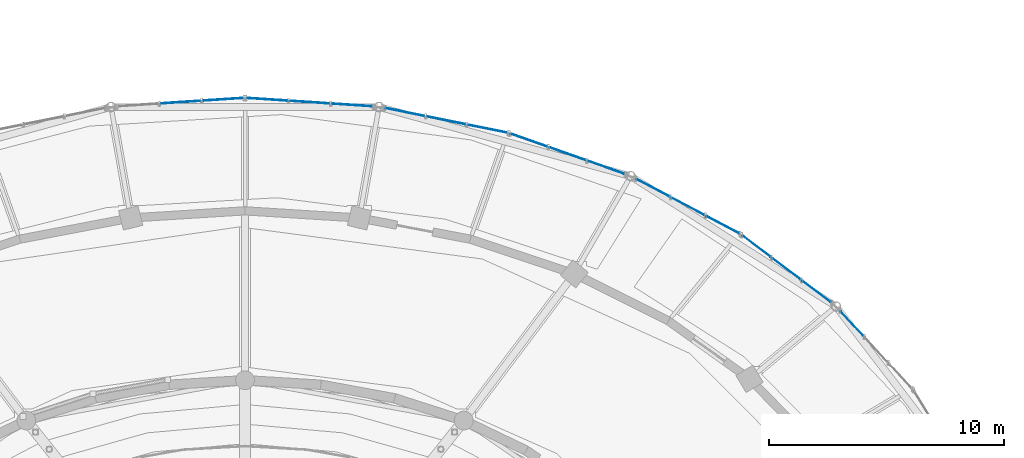
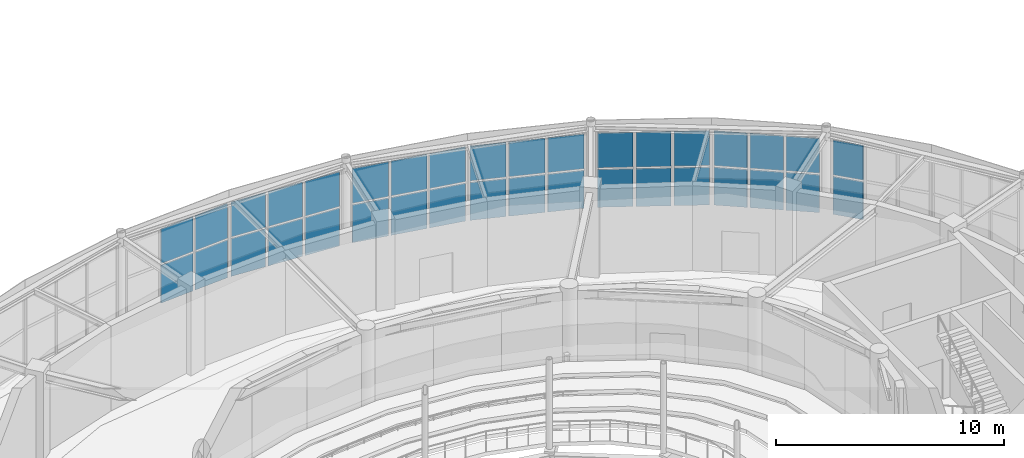
# One storey, part 73 of 100: 36 plates, 7 elements without a shape of their own.
"""IFC4 building model written with IfcOpenShell, lengths in metres."""

import ifcopenshell
import ifcopenshell.guid

model = None  # the IFC model being written
_history = None  # IfcOwnerHistory: only IFC2X3 demands one
_inside = {}  # id of a spatial element -> (the spatial element, [elements in it])
_under = {}  # id of a project, library or spatial element -> (it, [spatial elements below it])
_declared = {}  # id of a project -> (the project, [libraries it declares])
_typed = {}  # id of a type object -> (the type object, [elements of that type])
_made_of = {}  # id of a material, layer set ... -> (it, [elements and type objects made of it])


def new_model(schema):
    """Start an empty IFC model of exactly this schema.

    Asked for "IFC4X3", IfcOpenShell would pick the latest addendum, in which some entities
    have other attributes; the version numbers below select the first issue.
    IFC2X3 requires an IfcOwnerHistory on every rooted entity: one is made here for all.
    """
    global model, _history
    if schema == "IFC4X3":
        model = ifcopenshell.file(schema_version=(4, 3, 0, 0))
    else:
        model = ifcopenshell.file(schema=schema)
    _inside.clear()
    _under.clear()
    _declared.clear()
    _typed.clear()
    _made_of.clear()
    _history = None
    if model.schema == "IFC2X3":
        org = make("IfcOrganization", Name="unknown")
        user = make(
            "IfcPersonAndOrganization",
            ThePerson=make("IfcPerson", FamilyName="unknown"),
            TheOrganization=org,
        )
        app = make(
            "IfcApplication",
            ApplicationDeveloper=org,
            Version="unknown",
            ApplicationFullName="unknown",
            ApplicationIdentifier="unknown",
        )
        _history = make(
            "IfcOwnerHistory",
            OwningUser=user,
            OwningApplication=app,
            ChangeAction="ADDED",
            CreationDate=0,
        )
    return model


def make(cls, **values):
    """One entity of the class cls with the attributes given. An attribute that is None is left unset."""
    return model.create_entity(
        cls, **{name: value for name, value in values.items() if value is not None}
    )


def rooted(cls, **values):
    """An entity with a GlobalId (a new one), such as an element, a storey or a relation."""
    return make(cls, GlobalId=ifcopenshell.guid.new(), OwnerHistory=_history, **values)


def si_unit(unit_type, name, prefix=None):
    """IfcSIUnit, for example si_unit("LENGTHUNIT", "METRE", prefix="MILLI")."""
    return make("IfcSIUnit", UnitType=unit_type, Prefix=prefix, Name=name)


def assignment(units):
    """IfcUnitAssignment: the units of a project."""
    return None if units is None else make("IfcUnitAssignment", Units=units)


def point(xyz):
    """IfcCartesianPoint."""
    return None if xyz is None else make("IfcCartesianPoint", Coordinates=xyz)


def direction(xyz):
    """IfcDirection."""
    return None if xyz is None else make("IfcDirection", DirectionRatios=xyz)


def frame(location, z_axis=None, x_axis=None):
    """IfcAxis2Placement3D, a coordinate frame: its origin and axes. An axis left out is left unset."""
    return make(
        "IfcAxis2Placement3D",
        Location=point(location),
        Axis=direction(z_axis),
        RefDirection=direction(x_axis),
    )


def frame_2d(location, x_axis=None):
    """IfcAxis2Placement2D, a coordinate frame in the plane: its origin and x axis."""
    return make(
        "IfcAxis2Placement2D", Location=point(location), RefDirection=direction(x_axis)
    )


def origin():
    """The frame at (0, 0, 0) with its axes left unset."""
    return frame((0.0, 0.0, 0.0))


def origin_2d():
    """The frame at (0, 0) in the plane with its x axis left unset."""
    return frame_2d((0.0, 0.0))


def place(relative_to, where):
    """IfcLocalPlacement: puts the frame where relative to a parent placement (None: the world)."""
    return make(
        "IfcLocalPlacement", PlacementRelTo=relative_to, RelativePlacement=where
    )


def context(
    kind, dimensions, precision=None, world=None, true_north=None, identifier=None
):
    """IfcGeometricRepresentationContext, for example the 3D "Model" context."""
    return make(
        "IfcGeometricRepresentationContext",
        ContextIdentifier=identifier,
        ContextType=kind,
        CoordinateSpaceDimension=dimensions,
        Precision=precision,
        WorldCoordinateSystem=world,
        TrueNorth=true_north,
    )


def subcontext(parent, identifier, kind, view, scale=None):
    """IfcGeometricRepresentationSubContext, for example "Body" below "Model"."""
    return make(
        "IfcGeometricRepresentationSubContext",
        ContextIdentifier=identifier,
        ContextType=kind,
        ParentContext=parent,
        TargetScale=scale,
        TargetView=view,
    )


def project(units=None, contexts=None):
    """IfcProject with its units and contexts."""
    return rooted(
        "IfcProject",
        Name="project",
        RepresentationContexts=contexts,
        UnitsInContext=assignment(units),
    )


def spatial(cls, under=None, at=None, **own):
    """A site, building, storey or space (cls), placed at a placement, below another one or the project."""
    s = rooted(cls, ObjectPlacement=at, **own)
    if under is not None:
        _under.setdefault(under.id(), (under, []))[1].append(s)
    return s


def profile(cls, at=None, kind="AREA", **sizes):
    """A parametric profile (cls). Its sizes go by their IFC names, for example OverallWidth=200.0."""
    return make(cls, ProfileType=kind, Position=at, **sizes)


def rectangle(**sizes):
    """IfcRectangleProfileDef."""
    return profile("IfcRectangleProfileDef", **sizes)


def extrude(swept, where, along, depth):
    """IfcExtrudedAreaSolid: the profile swept, set in the frame where, extruded along a direction by depth."""
    return make(
        "IfcExtrudedAreaSolid",
        SweptArea=swept,
        Position=where,
        ExtrudedDirection=direction(along),
        Depth=depth,
    )


def shape(context_of_items, identifier, shape_type, items):
    """IfcShapeRepresentation: the items that make up one representation, for example the "Body"."""
    return make(
        "IfcShapeRepresentation",
        ContextOfItems=context_of_items,
        RepresentationIdentifier=identifier,
        RepresentationType=shape_type,
        Items=items,
    )


def material(Name=None, Category=None):
    """IfcMaterial."""
    return make("IfcMaterial", Name=Name, Category=Category)


def layer(
    of_material, thickness, ventilated=None, Name=None, Category=None, Priority=None
):
    """IfcMaterialLayer: one layer of a wall or slab, of a material (None: an air gap)."""
    return make(
        "IfcMaterialLayer",
        Material=of_material,
        LayerThickness=thickness,
        IsVentilated=ventilated,
        Name=Name,
        Category=Category,
        Priority=Priority,
    )


def layer_set(layers, Name=None):
    """IfcMaterialLayerSet."""
    return make("IfcMaterialLayerSet", MaterialLayers=layers, LayerSetName=Name)


def made_of(thing, what):
    """Note that an element or type object is made of a material, layer set ...; save() writes the relation."""
    if what is not None:
        _made_of.setdefault(what.id(), (what, []))[1].append(thing)
    return thing


def type_object(cls, material=None, **own):
    """A type object (cls), such as IfcWallType, which elements share."""
    return made_of(rooted(cls, **own), material)


def element(
    cls,
    number,
    at=None,
    inside=None,
    cuts=None,
    type_object=None,
    material=None,
    context=None,
    identifier="Body",
    shape_type=None,
    held_by="IfcProductDefinitionShape",
    body=None,
    shapes=None,
    **own,
):
    """One element of the class cls, such as IfcWall. Its Tag is "e" and its number.

    at: its placement. inside: the storey or other place that contains it. cuts: it is an
    opening in that element (IfcRelVoidsElement). A single representation is given by context,
    identifier, shape_type and body (its items); several are given by shapes. held_by: the class
    of the entity that holds the representations. save() writes the other relations.
    """
    e = rooted(cls, Tag="e%d" % number, ObjectPlacement=at, **own)
    if body is not None:
        shapes = [shape(context, identifier, shape_type, body)]
    if shapes is not None:
        e.Representation = make(held_by, Representations=shapes)
    if inside is not None:
        _inside.setdefault(inside.id(), (inside, []))[1].append(e)
    if cuts is not None:
        rooted(
            "IfcRelVoidsElement", RelatingBuildingElement=cuts, RelatedOpeningElement=e
        )
    if type_object is not None:
        _typed.setdefault(type_object.id(), (type_object, []))[1].append(e)
    return made_of(e, material)


def aggregate(whole, parts):
    """IfcRelAggregates: a whole, such as a stair, and the parts it consists of."""
    return rooted("IfcRelAggregates", RelatingObject=whole, RelatedObjects=parts)


def save(model, path):
    """Write the relations noted so far, then the file.

    IfcRelAggregates (storeys below a building ...), IfcRelContainedInSpatialStructure (elements
    in a storey), IfcRelDefinesByType, IfcRelAssociatesMaterial and IfcRelDeclares: one each for
    every whole, place, type object, material and project.
    """
    for whole, parts in _under.values():
        aggregate(whole, parts)
    for where, things in _inside.values():
        rooted(
            "IfcRelContainedInSpatialStructure",
            RelatedElements=things,
            RelatingStructure=where,
        )
    for kind, things in _typed.values():
        rooted("IfcRelDefinesByType", RelatedObjects=things, RelatingType=kind)
    for what, things in _made_of.values():
        rooted("IfcRelAssociatesMaterial", RelatedObjects=things, RelatingMaterial=what)
    for by, libraries in _declared.values():
        rooted("IfcRelDeclares", RelatingContext=by, RelatedDefinitions=libraries)
    model.write(path)


model = new_model("IFC4")

# Units and contexts
model_context = context("Model", 3, precision=1e-05, world=origin(), true_north=direction((0.0, 1.0)))
body_context = subcontext(model_context, "Body", "Model", "MODEL_VIEW")
ifc_project = project(units=[si_unit("LENGTHUNIT", "METRE"), si_unit("AREAUNIT", "SQUARE_METRE"), si_unit("VOLUMEUNIT", "CUBIC_METRE"), si_unit("PLANEANGLEUNIT", "RADIAN"), si_unit("MASSUNIT", "GRAM", prefix="KILO")], contexts=[model_context])

# Site, building, storey
site_placement = place(None, origin())
site = spatial("IfcSite", under=ifc_project, at=site_placement, CompositionType="ELEMENT")
building_placement = place(site_placement, origin())
building = spatial("IfcBuilding", under=site, at=building_placement, Name="Tarnveldt Headland Concert Hall", CompositionType="ELEMENT")
storey_placement = place(building_placement, frame((0.0, 0.0, 4.800048828125)))
storey = spatial("IfcBuildingStorey", under=building, at=storey_placement, Name="L01", CompositionType="ELEMENT", Elevation=4.800048828125)

# Curtain wall, plates
ifc_material_1 = material(Name="Marine-anodised aluminium EN AW-6063-T6", Category="aluminium")
curtain_wall_type = type_object("IfcCurtainWallType", Name="CW-F2", PredefinedType="NOTDEFINED", material=ifc_material_1)
curtain_wall_1_placement = place(storey_placement, origin())
curtain_wall_1 = element("IfcCurtainWall", 1, at=curtain_wall_1_placement, inside=storey, type_object=curtain_wall_type, Name="Curtain wall CW-L01-030", PredefinedType="NOTDEFINED")
ifc_material_2 = material(Name="Acoustic laminated low-iron double glazing", Category="glass")
ifc_layer = layer(ifc_material_2, 0.030029296875, Name="Acoustic laminated low-iron double glazing", Category="glass")
ifc_layer_set = layer_set([ifc_layer], Name="Acoustic laminated low-iron double glazing")
plate_type = type_object("IfcPlateType", Name="PN-F2", PredefinedType="CURTAIN_PANEL", material=ifc_layer_set)
plate_1_placement = place(storey_placement, frame((109.305908203125, 69.70703125, 0.09228515625), z_axis=(0.0, 0.0, 1.0), x_axis=(-0.67945411016, 0.733718005903, 0.0)))
plate_1 = element("IfcPlate", 2, at=plate_1_placement, type_object=plate_type, Name="Glazed panel CW-L01-030-3-1", PredefinedType="CURTAIN_PANEL", context=body_context, shape_type="SweptSolid", body=[
    extrude(rectangle(XDim=1.3955078125, YDim=0.030029296875, at=origin_2d()), origin(), (0.0, 0.0, 1.0), 2.0283203125),
])
plate_2_placement = place(storey_placement, frame((109.305908203125, 69.70703125, 2.20556640625), z_axis=(0.0, 0.0, 1.0), x_axis=(-0.67945411016, 0.733718005903, 0.0)))
plate_2 = element("IfcPlate", 3, at=plate_2_placement, type_object=plate_type, Name="Glazed panel CW-L01-030-3-2", PredefinedType="CURTAIN_PANEL", context=body_context, shape_type="SweptSolid", body=[
    extrude(rectangle(XDim=1.3955078125, YDim=0.030029296875, at=origin_2d()), origin(), (0.0, 0.0, 1.0), 1.86181640625),
])
aggregate(curtain_wall_1, [plate_1, plate_2])

curtain_wall_2_placement = place(storey_placement, origin())
curtain_wall_2 = element("IfcCurtainWall", 4, at=curtain_wall_2_placement, inside=storey, type_object=curtain_wall_type, Name="Curtain wall CW-L01-031", PredefinedType="NOTDEFINED")
plate_3_placement = place(storey_placement, frame((107.796142578125, 71.06884765625, 0.09228515625), z_axis=(0.0, 0.0, 1.0), x_axis=(-0.797657618631, 0.603110539984, 0.0)))
plate_3 = element("IfcPlate", 5, at=plate_3_placement, type_object=plate_type, Name="Glazed panel CW-L01-031-1-1", PredefinedType="CURTAIN_PANEL", context=body_context, shape_type="SweptSolid", body=[
    extrude(rectangle(XDim=1.47607421875, YDim=0.030029296875, at=origin_2d()), origin(), (0.0, 0.0, 1.0), 2.0283203125),
])
plate_4_placement = place(storey_placement, frame((107.796142578125, 71.06884765625, 2.20556640625), z_axis=(0.0, 0.0, 1.0), x_axis=(-0.797657618631, 0.603110539984, 0.0)))
plate_4 = element("IfcPlate", 6, at=plate_4_placement, type_object=plate_type, Name="Glazed panel CW-L01-031-1-2", PredefinedType="CURTAIN_PANEL", context=body_context, shape_type="SweptSolid", body=[
    extrude(rectangle(XDim=1.47607421875, YDim=0.030029296875, at=origin_2d()), origin(), (0.0, 0.0, 1.0), 1.86181640625),
])
plate_5_placement = place(storey_placement, frame((106.523681640625, 72.03076171875, 0.09228515625), z_axis=(0.0, 0.0, 1.0), x_axis=(-0.797657618631, 0.603110539984, 0.0)))
plate_5 = element("IfcPlate", 7, at=plate_5_placement, type_object=plate_type, Name="Glazed panel CW-L01-031-2-1", PredefinedType="CURTAIN_PANEL", context=body_context, shape_type="SweptSolid", body=[
    extrude(rectangle(XDim=1.47607421875, YDim=0.030029296875, at=origin_2d()), origin(), (0.0, 0.0, 1.0), 2.0283203125),
])
plate_6_placement = place(storey_placement, frame((106.523681640625, 72.03076171875, 2.20556640625), z_axis=(0.0, 0.0, 1.0), x_axis=(-0.797657618631, 0.603110539984, 0.0)))
plate_6 = element("IfcPlate", 8, at=plate_6_placement, type_object=plate_type, Name="Glazed panel CW-L01-031-2-2", PredefinedType="CURTAIN_PANEL", context=body_context, shape_type="SweptSolid", body=[
    extrude(rectangle(XDim=1.47607421875, YDim=0.030029296875, at=origin_2d()), origin(), (0.0, 0.0, 1.0), 1.86181640625),
])
plate_7_placement = place(storey_placement, frame((105.25146484375, 72.992919921875, 0.09228515625), z_axis=(0.0, 0.0, 1.0), x_axis=(-0.797657618631, 0.603110539984, 0.0)))
plate_7 = element("IfcPlate", 9, at=plate_7_placement, type_object=plate_type, Name="Glazed panel CW-L01-031-3-1", PredefinedType="CURTAIN_PANEL", context=body_context, shape_type="SweptSolid", body=[
    extrude(rectangle(XDim=1.47607421875, YDim=0.030029296875, at=origin_2d()), origin(), (0.0, 0.0, 1.0), 2.0283203125),
])
plate_8_placement = place(storey_placement, frame((105.25146484375, 72.992919921875, 2.20556640625), z_axis=(0.0, 0.0, 1.0), x_axis=(-0.797657618631, 0.603110539984, 0.0)))
plate_8 = element("IfcPlate", 10, at=plate_8_placement, type_object=plate_type, Name="Glazed panel CW-L01-031-3-2", PredefinedType="CURTAIN_PANEL", context=body_context, shape_type="SweptSolid", body=[
    extrude(rectangle(XDim=1.47607421875, YDim=0.030029296875, at=origin_2d()), origin(), (0.0, 0.0, 1.0), 1.86181640625),
])
aggregate(curtain_wall_2, [plate_3, plate_4, plate_5, plate_6, plate_7, plate_8])

curtain_wall_3_placement = place(storey_placement, origin())
curtain_wall_3 = element("IfcCurtainWall", 11, at=curtain_wall_3_placement, inside=storey, type_object=curtain_wall_type, Name="Curtain wall CW-L01-032", PredefinedType="NOTDEFINED")
plate_9_placement = place(storey_placement, frame((103.80908203125, 73.90771484375, 0.09228515625), z_axis=(0.0, 0.0, 1.0), x_axis=(-0.883781963382, 0.467898964735, 0.0)))
plate_9 = element("IfcPlate", 12, at=plate_9_placement, type_object=plate_type, Name="Glazed panel CW-L01-032-1-1", PredefinedType="CURTAIN_PANEL", context=body_context, shape_type="SweptSolid", body=[
    extrude(rectangle(XDim=1.552978515625, YDim=0.030029296875, at=origin_2d()), origin(), (0.0, 0.0, 1.0), 2.0283203125),
])
plate_10_placement = place(storey_placement, frame((103.80908203125, 73.90771484375, 2.20556640625), z_axis=(0.0, 0.0, 1.0), x_axis=(-0.883781963382, 0.467898964735, 0.0)))
plate_10 = element("IfcPlate", 13, at=plate_10_placement, type_object=plate_type, Name="Glazed panel CW-L01-032-1-2", PredefinedType="CURTAIN_PANEL", context=body_context, shape_type="SweptSolid", body=[
    extrude(rectangle(XDim=1.552978515625, YDim=0.030029296875, at=origin_2d()), origin(), (0.0, 0.0, 1.0), 1.86181640625),
])
plate_11_placement = place(storey_placement, frame((102.33154296875, 74.690185546875, 0.09228515625), z_axis=(0.0, 0.0, 1.0), x_axis=(-0.883781963382, 0.467898964735, 0.0)))
plate_11 = element("IfcPlate", 14, at=plate_11_placement, type_object=plate_type, Name="Glazed panel CW-L01-032-2-1", PredefinedType="CURTAIN_PANEL", context=body_context, shape_type="SweptSolid", body=[
    extrude(rectangle(XDim=1.552978515625, YDim=0.030029296875, at=origin_2d()), origin(), (0.0, 0.0, 1.0), 2.0283203125),
])
plate_12_placement = place(storey_placement, frame((102.33154296875, 74.690185546875, 2.20556640625), z_axis=(0.0, 0.0, 1.0), x_axis=(-0.883781963382, 0.467898964735, 0.0)))
plate_12 = element("IfcPlate", 15, at=plate_12_placement, type_object=plate_type, Name="Glazed panel CW-L01-032-2-2", PredefinedType="CURTAIN_PANEL", context=body_context, shape_type="SweptSolid", body=[
    extrude(rectangle(XDim=1.552978515625, YDim=0.030029296875, at=origin_2d()), origin(), (0.0, 0.0, 1.0), 1.86181640625),
])
plate_13_placement = place(storey_placement, frame((100.853759765625, 75.472412109375, 0.09228515625), z_axis=(0.0, 0.0, 1.0), x_axis=(-0.883781963382, 0.467898964735, 0.0)))
plate_13 = element("IfcPlate", 16, at=plate_13_placement, type_object=plate_type, Name="Glazed panel CW-L01-032-3-1", PredefinedType="CURTAIN_PANEL", context=body_context, shape_type="SweptSolid", body=[
    extrude(rectangle(XDim=1.552978515625, YDim=0.030029296875, at=origin_2d()), origin(), (0.0, 0.0, 1.0), 2.0283203125),
])
plate_14_placement = place(storey_placement, frame((100.853759765625, 75.472412109375, 2.20556640625), z_axis=(0.0, 0.0, 1.0), x_axis=(-0.883781963382, 0.467898964735, 0.0)))
plate_14 = element("IfcPlate", 17, at=plate_14_placement, type_object=plate_type, Name="Glazed panel CW-L01-032-3-2", PredefinedType="CURTAIN_PANEL", context=body_context, shape_type="SweptSolid", body=[
    extrude(rectangle(XDim=1.552978515625, YDim=0.030029296875, at=origin_2d()), origin(), (0.0, 0.0, 1.0), 1.86181640625),
])
aggregate(curtain_wall_3, [plate_9, plate_10, plate_11, plate_12, plate_13, plate_14])

curtain_wall_4_placement = place(storey_placement, origin())
curtain_wall_4 = element("IfcCurtainWall", 18, at=curtain_wall_4_placement, inside=storey, type_object=curtain_wall_type, Name="Curtain wall CW-L01-033", PredefinedType="NOTDEFINED")
plate_15_placement = place(storey_placement, frame((98.8515625, 76.34716796875, 0.09228515625), z_axis=(0.0, 0.0, 1.0), x_axis=(-0.9430950477, 0.33252327889, 0.0)))
plate_15 = element("IfcPlate", 19, at=plate_15_placement, type_object=plate_type, Name="Glazed panel CW-L01-033-1-1", PredefinedType="CURTAIN_PANEL", context=body_context, shape_type="SweptSolid", body=[
    extrude(rectangle(XDim=1.617919921875, YDim=0.030029296875, at=origin_2d()), origin(), (0.0, 0.0, 1.0), 2.0283203125),
])
plate_16_placement = place(storey_placement, frame((98.8515625, 76.34716796875, 2.20556640625), z_axis=(0.0, 0.0, 1.0), x_axis=(-0.9430950477, 0.33252327889, 0.0)))
plate_16 = element("IfcPlate", 20, at=plate_16_placement, type_object=plate_type, Name="Glazed panel CW-L01-033-1-2", PredefinedType="CURTAIN_PANEL", context=body_context, shape_type="SweptSolid", body=[
    extrude(rectangle(XDim=1.617919921875, YDim=0.030029296875, at=origin_2d()), origin(), (0.0, 0.0, 1.0), 1.86181640625),
])
plate_17_placement = place(storey_placement, frame((97.21337890625, 76.9248046875, 0.09228515625), z_axis=(0.0, 0.0, 1.0), x_axis=(-0.9430950477, 0.33252327889, 0.0)))
plate_17 = element("IfcPlate", 21, at=plate_17_placement, type_object=plate_type, Name="Glazed panel CW-L01-033-2-1", PredefinedType="CURTAIN_PANEL", context=body_context, shape_type="SweptSolid", body=[
    extrude(rectangle(XDim=1.617919921875, YDim=0.030029296875, at=origin_2d()), origin(), (0.0, 0.0, 1.0), 2.0283203125),
])
plate_18_placement = place(storey_placement, frame((97.21337890625, 76.9248046875, 2.20556640625), z_axis=(0.0, 0.0, 1.0), x_axis=(-0.9430950477, 0.33252327889, 0.0)))
plate_18 = element("IfcPlate", 22, at=plate_18_placement, type_object=plate_type, Name="Glazed panel CW-L01-033-2-2", PredefinedType="CURTAIN_PANEL", context=body_context, shape_type="SweptSolid", body=[
    extrude(rectangle(XDim=1.617919921875, YDim=0.030029296875, at=origin_2d()), origin(), (0.0, 0.0, 1.0), 1.86181640625),
])
plate_19_placement = place(storey_placement, frame((95.5751953125, 77.502197265625, 0.09228515625), z_axis=(0.0, 0.0, 1.0), x_axis=(-0.9430950477, 0.33252327889, 0.0)))
plate_19 = element("IfcPlate", 23, at=plate_19_placement, type_object=plate_type, Name="Glazed panel CW-L01-033-3-1", PredefinedType="CURTAIN_PANEL", context=body_context, shape_type="SweptSolid", body=[
    extrude(rectangle(XDim=1.617919921875, YDim=0.030029296875, at=origin_2d()), origin(), (0.0, 0.0, 1.0), 2.0283203125),
])
plate_20_placement = place(storey_placement, frame((95.5751953125, 77.502197265625, 2.20556640625), z_axis=(0.0, 0.0, 1.0), x_axis=(-0.9430950477, 0.33252327889, 0.0)))
plate_20 = element("IfcPlate", 24, at=plate_20_placement, type_object=plate_type, Name="Glazed panel CW-L01-033-3-2", PredefinedType="CURTAIN_PANEL", context=body_context, shape_type="SweptSolid", body=[
    extrude(rectangle(XDim=1.617919921875, YDim=0.030029296875, at=origin_2d()), origin(), (0.0, 0.0, 1.0), 1.86181640625),
])
aggregate(curtain_wall_4, [plate_15, plate_16, plate_17, plate_18, plate_19, plate_20])

curtain_wall_5_placement = place(storey_placement, origin())
curtain_wall_5 = element("IfcCurtainWall", 25, at=curtain_wall_5_placement, inside=storey, type_object=curtain_wall_type, Name="Curtain wall CW-L01-034", PredefinedType="NOTDEFINED")
plate_21_placement = place(storey_placement, frame((93.804931640625, 77.989501953125, 0.09228515625), z_axis=(0.0, 0.0, 1.0), x_axis=(-0.98008791737, 0.198564030542, 0.0)))
plate_21 = element("IfcPlate", 26, at=plate_21_placement, type_object=plate_type, Name="Glazed panel CW-L01-034-1-1", PredefinedType="CURTAIN_PANEL", context=body_context, shape_type="SweptSolid", body=[
    extrude(rectangle(XDim=1.664794921875, YDim=0.030029296875, at=origin_2d()), origin(), (0.0, 0.0, 1.0), 2.0283203125),
])
plate_22_placement = place(storey_placement, frame((93.804931640625, 77.989501953125, 2.20556640625), z_axis=(0.0, 0.0, 1.0), x_axis=(-0.98008791737, 0.198564030542, 0.0)))
plate_22 = element("IfcPlate", 27, at=plate_22_placement, type_object=plate_type, Name="Glazed panel CW-L01-034-1-2", PredefinedType="CURTAIN_PANEL", context=body_context, shape_type="SweptSolid", body=[
    extrude(rectangle(XDim=1.664794921875, YDim=0.030029296875, at=origin_2d()), origin(), (0.0, 0.0, 1.0), 1.86181640625),
])
plate_23_placement = place(storey_placement, frame((92.056640625, 78.343505859375, 0.09228515625), z_axis=(0.0, 0.0, 1.0), x_axis=(-0.98008791737, 0.198564030542, 0.0)))
plate_23 = element("IfcPlate", 28, at=plate_23_placement, type_object=plate_type, Name="Glazed panel CW-L01-034-2-1", PredefinedType="CURTAIN_PANEL", context=body_context, shape_type="SweptSolid", body=[
    extrude(rectangle(XDim=1.664794921875, YDim=0.030029296875, at=origin_2d()), origin(), (0.0, 0.0, 1.0), 2.0283203125),
])
plate_24_placement = place(storey_placement, frame((92.056640625, 78.343505859375, 2.20556640625), z_axis=(0.0, 0.0, 1.0), x_axis=(-0.98008791737, 0.198564030542, 0.0)))
plate_24 = element("IfcPlate", 29, at=plate_24_placement, type_object=plate_type, Name="Glazed panel CW-L01-034-2-2", PredefinedType="CURTAIN_PANEL", context=body_context, shape_type="SweptSolid", body=[
    extrude(rectangle(XDim=1.664794921875, YDim=0.030029296875, at=origin_2d()), origin(), (0.0, 0.0, 1.0), 1.86181640625),
])
plate_25_placement = place(storey_placement, frame((90.308349609375, 78.69775390625, 0.09228515625), z_axis=(0.0, 0.0, 1.0), x_axis=(-0.98008791737, 0.198564030542, 0.0)))
plate_25 = element("IfcPlate", 30, at=plate_25_placement, type_object=plate_type, Name="Glazed panel CW-L01-034-3-1", PredefinedType="CURTAIN_PANEL", context=body_context, shape_type="SweptSolid", body=[
    extrude(rectangle(XDim=1.664794921875, YDim=0.030029296875, at=origin_2d()), origin(), (0.0, 0.0, 1.0), 2.0283203125),
])
plate_26_placement = place(storey_placement, frame((90.308349609375, 78.69775390625, 2.20556640625), z_axis=(0.0, 0.0, 1.0), x_axis=(-0.98008791737, 0.198564030542, 0.0)))
plate_26 = element("IfcPlate", 31, at=plate_26_placement, type_object=plate_type, Name="Glazed panel CW-L01-034-3-2", PredefinedType="CURTAIN_PANEL", context=body_context, shape_type="SweptSolid", body=[
    extrude(rectangle(XDim=1.664794921875, YDim=0.030029296875, at=origin_2d()), origin(), (0.0, 0.0, 1.0), 1.86181640625),
])
aggregate(curtain_wall_5, [plate_21, plate_22, plate_23, plate_24, plate_25, plate_26])

curtain_wall_6_placement = place(storey_placement, origin())
curtain_wall_6 = element("IfcCurtainWall", 32, at=curtain_wall_6_placement, inside=storey, type_object=curtain_wall_type, Name="Curtain wall CW-L01-035", PredefinedType="NOTDEFINED")
plate_27_placement = place(storey_placement, frame((88.05078125, 78.9990234375, 0.09228515625), z_axis=(0.0, 0.0, 1.0), x_axis=(-0.997818784564, 0.066012674318, 0.0)))
plate_27 = element("IfcPlate", 33, at=plate_27_placement, type_object=plate_type, Name="Glazed panel CW-L01-035-1-1", PredefinedType="CURTAIN_PANEL", context=body_context, shape_type="SweptSolid", body=[
    extrude(rectangle(XDim=1.689208984375, YDim=0.030029296875, at=origin_2d()), origin(), (0.0, 0.0, 1.0), 2.0283203125),
])
plate_28_placement = place(storey_placement, frame((88.05078125, 78.9990234375, 2.20556640625), z_axis=(0.0, 0.0, 1.0), x_axis=(-0.997818784564, 0.066012674318, 0.0)))
plate_28 = element("IfcPlate", 34, at=plate_28_placement, type_object=plate_type, Name="Glazed panel CW-L01-035-1-2", PredefinedType="CURTAIN_PANEL", context=body_context, shape_type="SweptSolid", body=[
    extrude(rectangle(XDim=1.689208984375, YDim=0.030029296875, at=origin_2d()), origin(), (0.0, 0.0, 1.0), 1.86181640625),
])
plate_29_placement = place(storey_placement, frame((86.24658203125, 79.118408203125, 0.09228515625), z_axis=(0.0, 0.0, 1.0), x_axis=(-0.997818784564, 0.066012674318, 0.0)))
plate_29 = element("IfcPlate", 35, at=plate_29_placement, type_object=plate_type, Name="Glazed panel CW-L01-035-2-1", PredefinedType="CURTAIN_PANEL", context=body_context, shape_type="SweptSolid", body=[
    extrude(rectangle(XDim=1.689208984375, YDim=0.030029296875, at=origin_2d()), origin(), (0.0, 0.0, 1.0), 2.0283203125),
])
plate_30_placement = place(storey_placement, frame((86.24658203125, 79.118408203125, 2.20556640625), z_axis=(0.0, 0.0, 1.0), x_axis=(-0.997818784564, 0.066012674318, 0.0)))
plate_30 = element("IfcPlate", 36, at=plate_30_placement, type_object=plate_type, Name="Glazed panel CW-L01-035-2-2", PredefinedType="CURTAIN_PANEL", context=body_context, shape_type="SweptSolid", body=[
    extrude(rectangle(XDim=1.689208984375, YDim=0.030029296875, at=origin_2d()), origin(), (0.0, 0.0, 1.0), 1.86181640625),
])
plate_31_placement = place(storey_placement, frame((84.442138671875, 79.23779296875, 0.09228515625), z_axis=(0.0, 0.0, 1.0), x_axis=(-0.997818784564, 0.066012674318, 0.0)))
plate_31 = element("IfcPlate", 37, at=plate_31_placement, type_object=plate_type, Name="Glazed panel CW-L01-035-3-1", PredefinedType="CURTAIN_PANEL", context=body_context, shape_type="SweptSolid", body=[
    extrude(rectangle(XDim=1.689208984375, YDim=0.030029296875, at=origin_2d()), origin(), (0.0, 0.0, 1.0), 2.0283203125),
])
plate_32_placement = place(storey_placement, frame((84.442138671875, 79.23779296875, 2.20556640625), z_axis=(0.0, 0.0, 1.0), x_axis=(-0.997818784564, 0.066012674318, 0.0)))
plate_32 = element("IfcPlate", 38, at=plate_32_placement, type_object=plate_type, Name="Glazed panel CW-L01-035-3-2", PredefinedType="CURTAIN_PANEL", context=body_context, shape_type="SweptSolid", body=[
    extrude(rectangle(XDim=1.689208984375, YDim=0.030029296875, at=origin_2d()), origin(), (0.0, 0.0, 1.0), 1.86181640625),
])
aggregate(curtain_wall_6, [plate_27, plate_28, plate_29, plate_30, plate_31, plate_32])

curtain_wall_7_placement = place(storey_placement, origin())
curtain_wall_7 = element("IfcCurtainWall", 39, at=curtain_wall_7_placement, inside=storey, type_object=curtain_wall_type, Name="Curtain wall CW-L01-036", PredefinedType="NOTDEFINED")
plate_33_placement = place(storey_placement, frame((82.557861328125, 79.23779296875, 0.09228515625), z_axis=(0.0, 0.0, 1.0), x_axis=(-0.997818784564, -0.066012674318, 0.0)))
plate_33 = element("IfcPlate", 40, at=plate_33_placement, type_object=plate_type, Name="Glazed panel CW-L01-036-1-1", PredefinedType="CURTAIN_PANEL", context=body_context, shape_type="SweptSolid", body=[
    extrude(rectangle(XDim=1.689208984375, YDim=0.030029296875, at=origin_2d()), origin(), (0.0, 0.0, 1.0), 2.0283203125),
])
plate_34_placement = place(storey_placement, frame((82.557861328125, 79.23779296875, 2.20556640625), z_axis=(0.0, 0.0, 1.0), x_axis=(-0.997818784564, -0.066012674318, 0.0)))
plate_34 = element("IfcPlate", 41, at=plate_34_placement, type_object=plate_type, Name="Glazed panel CW-L01-036-1-2", PredefinedType="CURTAIN_PANEL", context=body_context, shape_type="SweptSolid", body=[
    extrude(rectangle(XDim=1.689208984375, YDim=0.030029296875, at=origin_2d()), origin(), (0.0, 0.0, 1.0), 1.86181640625),
])
plate_35_placement = place(storey_placement, frame((80.75341796875, 79.118408203125, 0.09228515625), z_axis=(0.0, 0.0, 1.0), x_axis=(-0.997818784564, -0.066012674318, 0.0)))
plate_35 = element("IfcPlate", 42, at=plate_35_placement, type_object=plate_type, Name="Glazed panel CW-L01-036-2-1", PredefinedType="CURTAIN_PANEL", context=body_context, shape_type="SweptSolid", body=[
    extrude(rectangle(XDim=1.689208984375, YDim=0.030029296875, at=origin_2d()), origin(), (0.0, 0.0, 1.0), 2.0283203125),
])
plate_36_placement = place(storey_placement, frame((80.75341796875, 79.118408203125, 2.20556640625), z_axis=(0.0, 0.0, 1.0), x_axis=(-0.997818784564, -0.066012674318, 0.0)))
plate_36 = element("IfcPlate", 43, at=plate_36_placement, type_object=plate_type, Name="Glazed panel CW-L01-036-2-2", PredefinedType="CURTAIN_PANEL", context=body_context, shape_type="SweptSolid", body=[
    extrude(rectangle(XDim=1.689208984375, YDim=0.030029296875, at=origin_2d()), origin(), (0.0, 0.0, 1.0), 1.86181640625),
])
aggregate(curtain_wall_7, [plate_33, plate_34, plate_35, plate_36])

save(model, "model.ifc")
